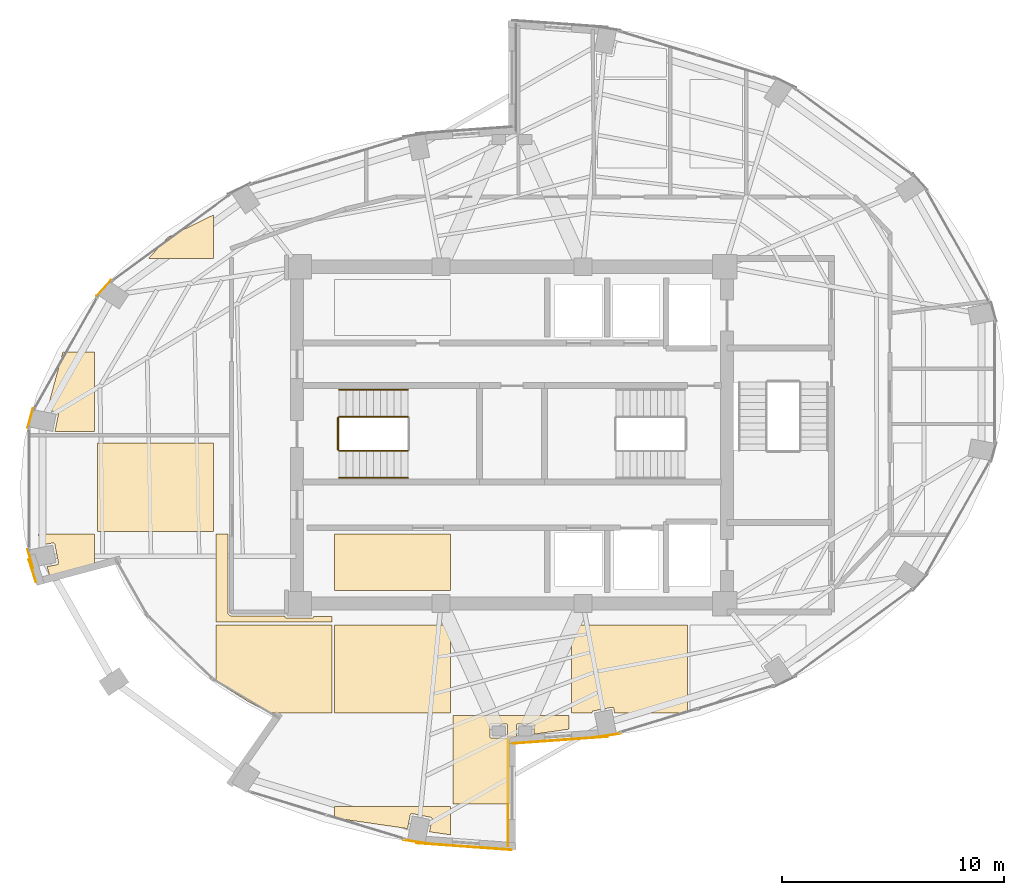
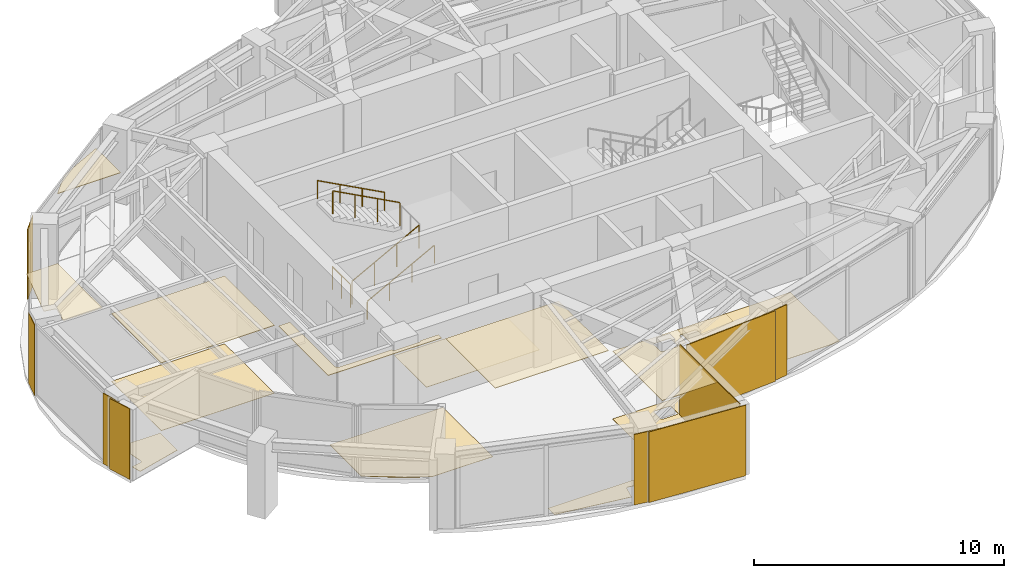
# One storey, part 20 of 21: 22 coverings, 5 railings.
"""IFC4 building model written with IfcOpenShell, lengths in metres."""

from ifc_helpers import new_model, si_unit, direction, frame, origin, origin_2d, place, context, subcontext, project, spatial, polyline, rectangle, circle, outline, extrude, material, layer, layer_set, type_object, element, save


model = new_model("IFC4")

# Units and contexts
model_context = context("Model", 3, precision=1e-05, world=origin(), true_north=direction((0.0, 1.0)))
body_context = subcontext(model_context, "Body", "Model", "MODEL_VIEW")
ifc_project = project(units=[si_unit("LENGTHUNIT", "METRE"), si_unit("AREAUNIT", "SQUARE_METRE"), si_unit("VOLUMEUNIT", "CUBIC_METRE"), si_unit("PLANEANGLEUNIT", "RADIAN"), si_unit("MASSUNIT", "GRAM", prefix="KILO")], contexts=[model_context])

# Site, building, storey
site_placement = place(None, origin())
site = spatial("IfcSite", under=ifc_project, at=site_placement, CompositionType="ELEMENT")
building_placement = place(site_placement, origin())
building = spatial("IfcBuilding", under=site, at=building_placement, Name="Lazwardi Medical Tower", CompositionType="ELEMENT")
storey_placement = place(building_placement, frame((0.0, 0.0, 220.367919921875)))
storey = spatial("IfcBuildingStorey", under=building, at=storey_placement, Name="L57", CompositionType="ELEMENT", Elevation=220.367919921875)

# Coverings
ifc_material_1 = material(Name="Anodised bronze aluminium cassette cladding", Category="aluminium")
ifc_layer_1 = layer(ifc_material_1, 0.030029296875)
ifc_layer_set_1 = layer_set([ifc_layer_1], Name="Anodised bronze aluminium cassette cladding")
covering_type_1 = type_object("IfcCoveringType", Name="COV-CLD-BRZ", PredefinedType="CLADDING", material=ifc_layer_set_1)
covering_1_placement = place(storey_placement, frame((40.3232421875, 14.450439453125, 0.0), z_axis=(0.0, 0.0, 1.0), x_axis=(0.989512431533, 0.144447733943, 0.0)))
element("IfcCovering", 1, at=covering_1_placement, inside=storey, type_object=covering_type_1, Name="L57 Mega-column bronze cassette cover M01", PredefinedType="CLADDING", context=body_context, shape_type="SweptSolid", body=[
    extrude(rectangle(XDim=1.188720703125, YDim=0.030029296875, at=origin_2d()), origin(), (0.0, 0.0, 1.0), 3.447998046875),
])
covering_2_placement = place(storey_placement, frame((17.57470703125, 34.634765625, 0.0), z_axis=(0.0, 0.0, 1.0), x_axis=(-0.673240970654, -0.739423150458, 0.0)))
element("IfcCovering", 2, at=covering_2_placement, inside=storey, type_object=covering_type_1, Name="L57 Mega-column bronze cassette cover M11", PredefinedType="CLADDING", context=body_context, shape_type="SweptSolid", body=[
    extrude(rectangle(XDim=0.98974609375, YDim=0.030029296875, at=origin_2d()), origin(), (0.0, 0.0, 1.0), 3.447998046875),
])
for number, where, z_axis, x_axis, name in (
    (3, (14.265869140625, 28.772705078125, 0.0), (0.0, 0.0, 1.0), (-0.261641748247, -0.96516506131, 0.0), "L57 Mega-column bronze cassette cover M12"),
    (4, (14.265869140625, 22.427490234375, 0.0), (0.0, 0.0, 1.0), (0.261641748247, -0.96516506131, 0.0), "L57 Mega-column bronze cassette cover M13"),
):
    element("IfcCovering", number, at=place(storey_placement, frame(where, z_axis=z_axis, x_axis=x_axis)), inside=storey, type_object=covering_type_1, Name=name, PredefinedType="CLADDING", context=body_context, shape_type="SweptSolid", body=[
        extrude(rectangle(XDim=0.894287109375, YDim=0.030029296875, at=origin_2d()), origin(), (0.0, 0.0, 1.0), 3.447998046875),
    ])
covering_3_placement = place(storey_placement, frame((31.6767578125, 9.650390625, 0.0), z_axis=(0.0, 0.0, 1.0), x_axis=(0.989512431533, -0.144447733943, 0.0)))
element("IfcCovering", 5, at=covering_3_placement, inside=storey, type_object=covering_type_1, Name="L57 Mega-column bronze cassette cover M16", PredefinedType="CLADDING", context=body_context, shape_type="SweptSolid", body=[
    extrude(rectangle(XDim=1.188720703125, YDim=0.030029296875, at=origin_2d()), origin(), (0.0, 0.0, 1.0), 3.447998046875),
])
ifc_material_2 = material(Name="Turquoise glazed ceramic tilework cladding", Category="masonry")
ifc_layer_2 = layer(ifc_material_2, 0.034912109375)
ifc_layer_set_2 = layer_set([ifc_layer_2], Name="Turquoise glazed ceramic tilework cladding")
covering_type_2 = type_object("IfcCoveringType", Name="COV-CLD-TRQ", PredefinedType="CLADDING", material=ifc_layer_set_2)
covering_4_placement = place(storey_placement, frame((38.16259765625, 14.239990234375, 0.0), z_axis=(0.0, 0.0, 1.0), x_axis=(0.997409491337, 0.071932653157, 0.0)))
element("IfcCovering", 6, at=covering_4_placement, inside=storey, type_object=covering_type_2, Name="L57 Turquoise glazed ceramic tilework cladding", PredefinedType="CLADDING", context=body_context, shape_type="SweptSolid", body=[
    extrude(rectangle(XDim=4.31103515625, YDim=0.034912109375, at=origin_2d()), origin(), (0.0, 0.0, 1.0), 3.447998046875),
])
covering_5_placement = place(storey_placement, frame((33.83740234375, 9.43994140625, 0.0), z_axis=(0.0, 0.0, 1.0), x_axis=(0.997408989128, -0.071939616387, 0.0)))
element("IfcCovering", 7, at=covering_5_placement, inside=storey, type_object=covering_type_2, Name="L57 Turquoise glazed ceramic tilework cladding", PredefinedType="CLADDING", context=body_context, shape_type="SweptSolid", body=[
    extrude(rectangle(XDim=4.310546875, YDim=0.034912109375, at=origin_2d()), origin(), (0.0, 0.0, 1.0), 3.447998046875),
])
covering_6_placement = place(storey_placement, frame((35.824462890625, 11.860107421875, 0.0), z_axis=(0.0, 0.0, 1.0), x_axis=(0.0, 1.0, 0.0)))
element("IfcCovering", 8, at=covering_6_placement, inside=storey, type_object=covering_type_2, Name="L57 Turquoise glazed ceramic tilework iwan panel", PredefinedType="CLADDING", context=body_context, shape_type="SweptSolid", body=[
    extrude(rectangle(XDim=4.800048828125, YDim=0.034912109375, at=origin_2d()), origin(), (0.0, 0.0, 1.0), 3.447998046875),
])
covering_7_placement = place(storey_placement, frame((14.360595703125, 21.879150390625, 0.0), z_axis=(0.0, 0.0, 1.0), x_axis=(0.303318010952, -0.952889387197, 0.0)))
element("IfcCovering", 9, at=covering_7_placement, inside=storey, type_object=covering_type_2, Name="L57 Turquoise glazed ceramic tilework cladding", PredefinedType="CLADDING", context=body_context, shape_type="SweptSolid", body=[
    extrude(rectangle(XDim=1.080810546875, YDim=0.034912109375, at=origin_2d()), origin(), (0.0, 0.0, 1.0), 3.447998046875),
])
ifc_material_3 = material(Name="Acoustic mineral fibre tile")
ifc_layer_3 = layer(ifc_material_3, 0.02490234375)
ifc_layer_set_3 = layer_set([ifc_layer_3], Name="Acoustic mineral fibre tile")
covering_type_3 = type_object("IfcCoveringType", Name="COV-CLG-01", PredefinedType="CEILING", material=ifc_layer_set_3)
covering_8_placement = place(storey_placement, frame((0.0, 0.0, 3.302978515625)))
element("IfcCovering", 10, at=covering_8_placement, inside=storey, type_object=covering_type_3, Name="L57 Clinical Acoustic Ceiling 1", PredefinedType="CEILING", context=body_context, shape_type="SweptSolid", body=[
    extrude(outline(polyline([(15.740478515625, 31.742431640625), (15.728271484375, 31.729248046875), (15.0224609375, 29.13134765625), (15.4716796875, 29.0419921875), (15.479248046875, 29.040283203125), (15.486572265625, 29.03759765625), (15.49365234375, 29.0341796875), (15.50048828125, 29.030029296875), (15.5068359375, 29.025390625), (15.5126953125, 29.020263671875), (15.517822265625, 29.014404296875), (15.5224609375, 29.008056640625), (15.526611328125, 29.001220703125), (15.52978515625, 28.994140625), (15.53271484375, 28.98681640625), (15.534423828125, 28.979248046875), (15.53564453125, 28.971435546875), (15.535888671875, 28.963623046875), (15.53564453125, 28.955810546875), (15.534423828125, 28.947998046875), (15.378662109375, 28.1650390625), (17.1728515625, 28.1650390625), (17.1728515625, 31.742431640625), (15.740478515625, 31.742431640625)])), origin(), (0.0, 0.0, 1.0), 0.025146484375),
])
covering_9_placement = place(storey_placement, frame((0.0, 0.0, 3.302978515625)))
element("IfcCovering", 11, at=covering_9_placement, inside=storey, type_object=covering_type_3, Name="L57 Clinical Acoustic Ceiling 2", PredefinedType="CEILING", context=body_context, shape_type="SweptSolid", body=[
    extrude(outline(polyline([(22.52294921875, 23.66259765625), (22.52294921875, 27.642578125), (17.29296875, 27.642578125), (17.29296875, 23.66259765625), (22.52294921875, 23.66259765625)])), origin(), (0.0, 0.0, 1.0), 0.025146484375),
])
covering_10_placement = place(storey_placement, frame((0.0, 0.0, 3.302978515625)))
element("IfcCovering", 12, at=covering_10_placement, inside=storey, type_object=covering_type_3, Name="L57 Clinical Acoustic Ceiling 3", PredefinedType="CEILING", context=body_context, shape_type="SweptSolid", body=[
    extrude(outline(polyline([(22.52294921875, 37.93359375), (20.478271484375, 36.933349609375), (19.592041015625, 35.96240234375), (22.52294921875, 35.96240234375), (22.52294921875, 37.93359375)])), origin(), (0.0, 0.0, 1.0), 0.025146484375),
])
covering_11_placement = place(storey_placement, frame((0.0, 0.0, 3.302978515625)))
element("IfcCovering", 13, at=covering_11_placement, inside=storey, type_object=covering_type_3, Name="L57 Clinical Acoustic Ceiling 4", PredefinedType="CEILING", context=body_context, shape_type="SweptSolid", body=[
    extrude(outline(polyline([(27.872802734375, 19.820068359375), (27.04931640625, 19.820068359375), (27.048583984375, 19.814453125), (27.046630859375, 19.806884765625), (27.0439453125, 19.79931640625), (27.04052734375, 19.792236328125), (27.03662109375, 19.78564453125), (27.03173828125, 19.779296875), (27.026611328125, 19.7734375), (27.020751953125, 19.768310546875), (27.014404296875, 19.763427734375), (27.0078125, 19.759521484375), (27.00048828125, 19.756103515625), (26.9931640625, 19.75341796875), (26.985595703125, 19.75146484375), (26.977783203125, 19.75048828125), (26.969970703125, 19.75), (25.830078125, 19.75), (25.822265625, 19.75048828125), (25.814453125, 19.75146484375), (25.806884765625, 19.75341796875), (25.79931640625, 19.756103515625), (25.792236328125, 19.759521484375), (25.78564453125, 19.763427734375), (25.779296875, 19.768310546875), (25.7734375, 19.7734375), (25.768310546875, 19.779296875), (25.763427734375, 19.78564453125), (25.759521484375, 19.792236328125), (25.756103515625, 19.79931640625), (25.75341796875, 19.806884765625), (25.75146484375, 19.814453125), (25.75048828125, 19.822265625), (25.75, 19.830078125), (25.75, 19.844970703125), (23.35009765625, 19.844970703125), (23.345703125, 19.84521484375), (23.33642578125, 19.845703125), (23.32958984375, 19.84619140625), (23.3203125, 19.84765625), (23.31201171875, 19.84912109375), (23.302734375, 19.8515625), (23.2958984375, 19.853515625), (23.287109375, 19.856689453125), (23.279296875, 19.860107421875), (23.270751953125, 19.864013671875), (23.263916015625, 19.86767578125), (23.256103515625, 19.872314453125), (23.249267578125, 19.876953125), (23.24169921875, 19.882568359375), (23.236083984375, 19.88720703125), (23.229248046875, 19.893310546875), (23.223388671875, 19.8994140625), (23.217041015625, 19.90625), (23.21240234375, 19.911865234375), (23.206787109375, 19.919189453125), (23.202392578125, 19.926025390625), (23.197509765625, 19.93408203125), (23.194091796875, 19.94091796875), (23.18994140625, 19.94921875), (23.186767578125, 19.95703125), (23.18359375, 19.9658203125), (23.181396484375, 19.972900390625), (23.17919921875, 19.98193359375), (23.177490234375, 19.990234375), (23.17626953125, 19.99951171875), (23.175537109375, 20.00634765625), (23.175048828125, 20.015625), (23.175048828125, 20.02001953125), (23.175048828125, 23.54248046875), (22.642822265625, 23.54248046875), (22.642822265625, 19.5625), (27.872802734375, 19.5625), (27.872802734375, 19.820068359375)])), origin(), (0.0, 0.0, 1.0), 0.025146484375),
])
covering_12_placement = place(storey_placement, frame((0.0, 0.0, 3.302978515625)))
element("IfcCovering", 14, at=covering_12_placement, inside=storey, type_object=covering_type_3, Name="L57 Clinical Acoustic Ceiling 5", PredefinedType="CEILING", context=body_context, shape_type="SweptSolid", body=[
    extrude(outline(polyline([(33.222900390625, 15.46240234375), (33.222900390625, 19.4423828125), (27.992919921875, 19.4423828125), (27.992919921875, 15.46240234375), (33.222900390625, 15.46240234375)])), origin(), (0.0, 0.0, 1.0), 0.025146484375),
])
covering_13_placement = place(storey_placement, frame((0.0, 0.0, 3.302978515625)))
element("IfcCovering", 15, at=covering_13_placement, inside=storey, type_object=covering_type_3, Name="L57 Clinical Acoustic Ceiling 6", PredefinedType="CEILING", context=body_context, shape_type="SweptSolid", body=[
    extrude(outline(polyline([(35.919921875, 11.362548828125), (35.919921875, 14.280029296875), (35.92041015625, 14.28759765625), (35.92138671875, 14.295166015625), (35.923095703125, 14.302490234375), (35.92578125, 14.309814453125), (35.928955078125, 14.316650390625), (35.9326171875, 14.3232421875), (35.93701171875, 14.329345703125), (35.94189453125, 14.335205078125), (35.947509765625, 14.34033203125), (35.95361328125, 14.34521484375), (35.9599609375, 14.34912109375), (35.966796875, 14.352783203125), (35.9736328125, 14.355712890625), (35.98095703125, 14.357666015625), (35.988525390625, 14.359130859375), (36.201416015625, 14.39013671875), (36.200439453125, 14.397216796875), (36.199951171875, 14.405029296875), (36.199951171875, 14.89501953125), (36.200439453125, 14.90283203125), (36.201416015625, 14.91064453125), (36.203369140625, 14.918212890625), (36.2060546875, 14.925537109375), (36.20947265625, 14.9326171875), (36.21337890625, 14.939453125), (36.21826171875, 14.94580078125), (36.223388671875, 14.95166015625), (36.229248046875, 14.956787109375), (36.235595703125, 14.96142578125), (36.2421875, 14.965576171875), (36.24951171875, 14.968994140625), (36.2568359375, 14.9716796875), (36.264404296875, 14.973388671875), (36.272216796875, 14.974609375), (36.280029296875, 14.97509765625), (36.919921875, 14.97509765625), (36.927734375, 14.974609375), (36.935546875, 14.973388671875), (36.943115234375, 14.9716796875), (36.95068359375, 14.968994140625), (36.957763671875, 14.965576171875), (36.96435546875, 14.96142578125), (36.970703125, 14.956787109375), (36.9765625, 14.95166015625), (36.981689453125, 14.94580078125), (36.986572265625, 14.939453125), (36.990478515625, 14.9326171875), (36.993896484375, 14.925537109375), (36.99658203125, 14.918212890625), (36.99853515625, 14.91064453125), (36.99951171875, 14.90283203125), (37.0, 14.89501953125), (37.0, 14.506591796875), (38.572998046875, 14.735595703125), (38.572998046875, 15.342529296875), (33.343017578125, 15.342529296875), (33.343017578125, 11.362548828125), (35.919921875, 11.362548828125)]), holes=[polyline([(35.7431640625, 14.328369140625), (35.735595703125, 14.326416015625), (35.727783203125, 14.325439453125), (35.719970703125, 14.324951171875), (35.080078125, 14.324951171875), (35.072265625, 14.325439453125), (35.064453125, 14.326416015625), (35.056884765625, 14.328369140625), (35.04931640625, 14.3310546875), (35.042236328125, 14.33447265625), (35.03564453125, 14.33837890625), (35.029296875, 14.34326171875), (35.0234375, 14.348388671875), (35.018310546875, 14.354248046875), (35.013427734375, 14.360595703125), (35.009521484375, 14.3671875), (35.006103515625, 14.37451171875), (35.00341796875, 14.3818359375), (35.00146484375, 14.389404296875), (35.00048828125, 14.397216796875), (35.0, 14.405029296875), (35.0, 14.89501953125), (35.00048828125, 14.90283203125), (35.00146484375, 14.91064453125), (35.00341796875, 14.918212890625), (35.006103515625, 14.925537109375), (35.009521484375, 14.9326171875), (35.013427734375, 14.939453125), (35.018310546875, 14.94580078125), (35.0234375, 14.95166015625), (35.029296875, 14.956787109375), (35.03564453125, 14.96142578125), (35.042236328125, 14.965576171875), (35.04931640625, 14.968994140625), (35.056884765625, 14.9716796875), (35.064453125, 14.973388671875), (35.072265625, 14.974609375), (35.080078125, 14.97509765625), (35.719970703125, 14.97509765625), (35.727783203125, 14.974609375), (35.735595703125, 14.973388671875), (35.7431640625, 14.9716796875), (35.75048828125, 14.968994140625), (35.7578125, 14.965576171875), (35.764404296875, 14.96142578125), (35.770751953125, 14.956787109375), (35.776611328125, 14.95166015625), (35.78173828125, 14.94580078125), (35.78662109375, 14.939453125), (35.79052734375, 14.9326171875), (35.7939453125, 14.925537109375), (35.796630859375, 14.918212890625), (35.798583984375, 14.91064453125), (35.799560546875, 14.90283203125), (35.800048828125, 14.89501953125), (35.800048828125, 14.405029296875), (35.799560546875, 14.397216796875), (35.798583984375, 14.389404296875), (35.796630859375, 14.3818359375), (35.7939453125, 14.37451171875), (35.79052734375, 14.3671875), (35.78662109375, 14.360595703125), (35.78173828125, 14.354248046875), (35.776611328125, 14.348388671875), (35.770751953125, 14.34326171875), (35.764404296875, 14.33837890625), (35.7578125, 14.33447265625), (35.75048828125, 14.3310546875), (35.7431640625, 14.328369140625)])]), origin(), (0.0, 0.0, 1.0), 0.025146484375),
])
ifc_material_4 = material(Name="Anti-static hospital vinyl sheet flooring")
ifc_layer_4 = layer(ifc_material_4, 0.014892578125)
ifc_layer_set_4 = layer_set([ifc_layer_4], Name="Anti-static hospital vinyl sheet flooring")
covering_type_4 = type_object("IfcCoveringType", Name="COV-FLR-01", PredefinedType="FLOORING", material=ifc_layer_set_4)
covering_14_placement = place(storey_placement, origin())
element("IfcCovering", 16, at=covering_14_placement, inside=storey, type_object=covering_type_4, Name="L57 Clinical Vinyl Flooring 1", PredefinedType="FLOORING", context=body_context, shape_type="SweptSolid", body=[
    extrude(outline(polyline([(14.6220703125, 23.54248046875), (14.759521484375, 23.035888671875), (15.276611328125, 23.138671875), (15.2841796875, 23.139892578125), (15.2919921875, 23.14013671875), (15.2998046875, 23.139892578125), (15.3076171875, 23.138671875), (15.315185546875, 23.13671875), (15.32275390625, 23.134033203125), (15.329833984375, 23.130859375), (15.33642578125, 23.126708984375), (15.343017578125, 23.1220703125), (15.3486328125, 23.11669921875), (15.35400390625, 23.111083984375), (15.358642578125, 23.1044921875), (15.36279296875, 23.097900390625), (15.365966796875, 23.0908203125), (15.36865234375, 23.08349609375), (15.37060546875, 23.07568359375), (15.534423828125, 22.251953125), (15.53564453125, 22.244140625), (15.535888671875, 22.236328125), (15.53564453125, 22.228515625), (15.534423828125, 22.220703125), (15.53271484375, 22.213134765625), (15.52978515625, 22.205810546875), (15.526611328125, 22.19873046875), (15.5224609375, 22.19189453125), (15.517822265625, 22.185791015625), (15.5126953125, 22.1796875), (15.5068359375, 22.174560546875), (15.50048828125, 22.169921875), (15.49365234375, 22.165771484375), (15.486572265625, 22.16259765625), (15.479248046875, 22.159912109375), (15.4716796875, 22.157958984375), (15.0224609375, 22.068603515625), (15.143798828125, 21.62158203125), (17.1728515625, 22.165283203125), (17.1728515625, 23.54248046875), (14.6220703125, 23.54248046875)])), origin(), (0.0, 0.0, 1.0), 0.01513671875),
])
covering_15_placement = place(storey_placement, origin())
element("IfcCovering", 17, at=covering_15_placement, inside=storey, type_object=covering_type_4, Name="L57 Clinical Vinyl Flooring 2", PredefinedType="FLOORING", context=body_context, shape_type="SweptSolid", body=[
    extrude(outline(polyline([(22.52294921875, 23.66259765625), (22.52294921875, 27.642578125), (17.29296875, 27.642578125), (17.29296875, 23.66259765625), (22.52294921875, 23.66259765625)])), origin(), (0.0, 0.0, 1.0), 0.01513671875),
])
covering_16_placement = place(storey_placement, origin())
element("IfcCovering", 18, at=covering_16_placement, inside=storey, type_object=covering_type_4, Name="L57 Clinical Vinyl Flooring 4", PredefinedType="FLOORING", context=body_context, shape_type="SweptSolid", body=[
    extrude(outline(polyline([(22.642822265625, 16.92138671875), (22.92138671875, 16.714111328125), (24.109619140625, 15.971435546875), (25.081787109375, 15.46240234375), (27.872802734375, 15.46240234375), (27.872802734375, 19.4423828125), (22.642822265625, 19.4423828125), (22.642822265625, 16.92138671875)])), origin(), (0.0, 0.0, 1.0), 0.01513671875),
])
covering_17_placement = place(storey_placement, origin())
element("IfcCovering", 19, at=covering_17_placement, inside=storey, type_object=covering_type_4, Name="L57 Clinical Vinyl Flooring 5", PredefinedType="FLOORING", context=body_context, shape_type="SweptSolid", body=[
    extrude(outline(polyline([(27.992919921875, 10.726806640625), (31.285400390625, 10.247314453125), (31.40673828125, 10.8583984375), (31.40869140625, 10.865966796875), (31.411376953125, 10.873291015625), (31.414794921875, 10.88037109375), (31.418701171875, 10.88720703125), (31.423583984375, 10.8935546875), (31.4287109375, 10.8994140625), (31.4345703125, 10.904541015625), (31.44091796875, 10.9091796875), (31.447509765625, 10.913330078125), (31.45458984375, 10.91650390625), (31.462158203125, 10.919189453125), (31.4697265625, 10.921142578125), (31.4775390625, 10.92236328125), (31.4853515625, 10.922607421875), (31.4931640625, 10.92236328125), (31.5009765625, 10.921142578125), (32.32470703125, 10.75732421875), (32.332275390625, 10.75537109375), (32.339599609375, 10.752685546875), (32.3466796875, 10.74951171875), (32.353515625, 10.745361328125), (32.35986328125, 10.740478515625), (32.36572265625, 10.7353515625), (32.370849609375, 10.7294921875), (32.37548828125, 10.72314453125), (32.379638671875, 10.716552734375), (32.383056640625, 10.70947265625), (32.3857421875, 10.701904296875), (32.3876953125, 10.6943359375), (32.388671875, 10.6865234375), (32.38916015625, 10.6787109375), (32.388671875, 10.6708984375), (32.3876953125, 10.6630859375), (32.276123046875, 10.10302734375), (33.222900390625, 9.96533203125), (33.222900390625, 11.242431640625), (27.992919921875, 11.242431640625), (27.992919921875, 10.726806640625)])), origin(), (0.0, 0.0, 1.0), 0.01513671875),
])
covering_18_placement = place(storey_placement, origin())
element("IfcCovering", 20, at=covering_18_placement, inside=storey, type_object=covering_type_4, Name="L57 Clinical Vinyl Flooring 6", PredefinedType="FLOORING", context=body_context, shape_type="SweptSolid", body=[
    extrude(outline(polyline([(27.992919921875, 20.97998046875), (33.222900390625, 20.97998046875), (33.222900390625, 23.54248046875), (27.992919921875, 23.54248046875), (27.992919921875, 20.97998046875)])), origin(), (0.0, 0.0, 1.0), 0.01513671875),
])
covering_19_placement = place(storey_placement, origin())
element("IfcCovering", 21, at=covering_19_placement, inside=storey, type_object=covering_type_4, Name="L57 Clinical Vinyl Flooring 8", PredefinedType="FLOORING", context=body_context, shape_type="SweptSolid", body=[
    extrude(outline(polyline([(35.919921875, 11.362548828125), (35.919921875, 14.280029296875), (35.92041015625, 14.28759765625), (35.92138671875, 14.295166015625), (35.923095703125, 14.302490234375), (35.92578125, 14.309814453125), (35.928955078125, 14.316650390625), (35.9326171875, 14.3232421875), (35.93701171875, 14.329345703125), (35.94189453125, 14.335205078125), (35.947509765625, 14.34033203125), (35.95361328125, 14.34521484375), (35.9599609375, 14.34912109375), (35.966796875, 14.352783203125), (35.9736328125, 14.355712890625), (35.98095703125, 14.357666015625), (35.988525390625, 14.359130859375), (36.201416015625, 14.39013671875), (36.200439453125, 14.397216796875), (36.199951171875, 14.405029296875), (36.199951171875, 14.89501953125), (36.200439453125, 14.90283203125), (36.201416015625, 14.91064453125), (36.203369140625, 14.918212890625), (36.2060546875, 14.925537109375), (36.20947265625, 14.9326171875), (36.21337890625, 14.939453125), (36.21826171875, 14.94580078125), (36.223388671875, 14.95166015625), (36.229248046875, 14.956787109375), (36.235595703125, 14.96142578125), (36.2421875, 14.965576171875), (36.24951171875, 14.968994140625), (36.2568359375, 14.9716796875), (36.264404296875, 14.973388671875), (36.272216796875, 14.974609375), (36.280029296875, 14.97509765625), (36.919921875, 14.97509765625), (36.927734375, 14.974609375), (36.935546875, 14.973388671875), (36.943115234375, 14.9716796875), (36.95068359375, 14.968994140625), (36.957763671875, 14.965576171875), (36.96435546875, 14.96142578125), (36.970703125, 14.956787109375), (36.9765625, 14.95166015625), (36.981689453125, 14.94580078125), (36.986572265625, 14.939453125), (36.990478515625, 14.9326171875), (36.993896484375, 14.925537109375), (36.99658203125, 14.918212890625), (36.99853515625, 14.91064453125), (36.99951171875, 14.90283203125), (37.0, 14.89501953125), (37.0, 14.506591796875), (38.572998046875, 14.735595703125), (38.572998046875, 15.342529296875), (33.343017578125, 15.342529296875), (33.343017578125, 11.362548828125), (35.919921875, 11.362548828125)]), holes=[polyline([(35.7431640625, 14.328369140625), (35.735595703125, 14.326416015625), (35.727783203125, 14.325439453125), (35.719970703125, 14.324951171875), (35.080078125, 14.324951171875), (35.072265625, 14.325439453125), (35.064453125, 14.326416015625), (35.056884765625, 14.328369140625), (35.04931640625, 14.3310546875), (35.042236328125, 14.33447265625), (35.03564453125, 14.33837890625), (35.029296875, 14.34326171875), (35.0234375, 14.348388671875), (35.018310546875, 14.354248046875), (35.013427734375, 14.360595703125), (35.009521484375, 14.3671875), (35.006103515625, 14.37451171875), (35.00341796875, 14.3818359375), (35.00146484375, 14.389404296875), (35.00048828125, 14.397216796875), (35.0, 14.405029296875), (35.0, 14.89501953125), (35.00048828125, 14.90283203125), (35.00146484375, 14.91064453125), (35.00341796875, 14.918212890625), (35.006103515625, 14.925537109375), (35.009521484375, 14.9326171875), (35.013427734375, 14.939453125), (35.018310546875, 14.94580078125), (35.0234375, 14.95166015625), (35.029296875, 14.956787109375), (35.03564453125, 14.96142578125), (35.042236328125, 14.965576171875), (35.04931640625, 14.968994140625), (35.056884765625, 14.9716796875), (35.064453125, 14.973388671875), (35.072265625, 14.974609375), (35.080078125, 14.97509765625), (35.719970703125, 14.97509765625), (35.727783203125, 14.974609375), (35.735595703125, 14.973388671875), (35.7431640625, 14.9716796875), (35.75048828125, 14.968994140625), (35.7578125, 14.965576171875), (35.764404296875, 14.96142578125), (35.770751953125, 14.956787109375), (35.776611328125, 14.95166015625), (35.78173828125, 14.94580078125), (35.78662109375, 14.939453125), (35.79052734375, 14.9326171875), (35.7939453125, 14.925537109375), (35.796630859375, 14.918212890625), (35.798583984375, 14.91064453125), (35.799560546875, 14.90283203125), (35.800048828125, 14.89501953125), (35.800048828125, 14.405029296875), (35.799560546875, 14.397216796875), (35.798583984375, 14.389404296875), (35.796630859375, 14.3818359375), (35.7939453125, 14.37451171875), (35.79052734375, 14.3671875), (35.78662109375, 14.360595703125), (35.78173828125, 14.354248046875), (35.776611328125, 14.348388671875), (35.770751953125, 14.34326171875), (35.764404296875, 14.33837890625), (35.7578125, 14.33447265625), (35.75048828125, 14.3310546875), (35.7431640625, 14.328369140625)])]), origin(), (0.0, 0.0, 1.0), 0.01513671875),
])
covering_20_placement = place(storey_placement, origin())
element("IfcCovering", 22, at=covering_20_placement, inside=storey, type_object=covering_type_4, Name="L57 Clinical Vinyl Flooring 9", PredefinedType="FLOORING", context=body_context, shape_type="SweptSolid", body=[
    extrude(outline(polyline([(39.612548828125, 15.46240234375), (39.6123046875, 15.463134765625), (39.611328125, 15.470947265625), (39.61083984375, 15.478759765625), (39.611328125, 15.486572265625), (39.6123046875, 15.494384765625), (39.6142578125, 15.501953125), (39.616943359375, 15.509521484375), (39.620361328125, 15.5166015625), (39.62451171875, 15.523193359375), (39.629150390625, 15.529541015625), (39.63427734375, 15.535400390625), (39.64013671875, 15.54052734375), (39.646484375, 15.54541015625), (39.6533203125, 15.54931640625), (39.660400390625, 15.552734375), (39.667724609375, 15.555419921875), (39.67529296875, 15.557373046875), (40.4990234375, 15.72119140625), (40.5068359375, 15.722412109375), (40.5146484375, 15.72265625), (40.5224609375, 15.722412109375), (40.5302734375, 15.72119140625), (40.537841796875, 15.71923828125), (40.54541015625, 15.716552734375), (40.552490234375, 15.71337890625), (40.55908203125, 15.709228515625), (40.5654296875, 15.70458984375), (40.5712890625, 15.69921875), (40.576416015625, 15.693603515625), (40.581298828125, 15.687255859375), (40.585205078125, 15.680419921875), (40.588623046875, 15.67333984375), (40.59130859375, 15.666015625), (40.59326171875, 15.658203125), (40.632080078125, 15.46240234375), (43.565185546875, 15.46240234375), (43.9228515625, 15.5146484375), (43.9228515625, 19.4423828125), (38.69287109375, 19.4423828125), (38.69287109375, 15.46240234375), (39.612548828125, 15.46240234375)])), origin(), (0.0, 0.0, 1.0), 0.01513671875),
])

# Railings
ifc_material_5 = material(Name="Stainless steel Grade 316", Category="steel")
railing_type_1 = type_object("IfcRailingType", Name="RLG-GRD-1150", PredefinedType="GUARDRAIL", material=ifc_material_5)
railing_1_placement = place(storey_placement, frame((28.199951171875, 27.2900390625, 0.166015625)))
element("IfcRailing", 23, at=railing_1_placement, inside=storey, type_object=railing_type_1, Name="L57 ST1 stair guard 1", PredefinedType="GUARDRAIL", context=body_context, shape_type="SweptSolid", body=[
    extrude(circle(Radius=0.02392578125, at=origin_2d()), frame((0.0, 0.0, 1.1259765625), z_axis=(0.881812178953, 0.0, 0.471600764472), x_axis=(0.0, 1.0, 0.0)), (0.0, 0.0, 1.0), 3.515625),
    extrude(circle(Radius=0.02099609375, at=origin_2d()), origin(), (0.0, 0.0, 1.0), 1.099853515625),
    extrude(circle(Radius=0.02099609375, at=origin_2d()), frame((1.033447265625, 0.0, 0.552734375)), (0.0, 0.0, 1.0), 1.099853515625),
    extrude(circle(Radius=0.02099609375, at=origin_2d()), frame((2.066650390625, 0.0, 1.105224609375)), (0.0, 0.0, 1.0), 1.099853515625),
    extrude(circle(Radius=0.02099609375, at=origin_2d()), frame((3.10009765625, 0.0, 1.657958984375)), (0.0, 0.0, 1.0), 1.099853515625),
])
railing_2_placement = place(storey_placement, frame((31.300048828125, 28.830078125, 1.989990234375)))
element("IfcRailing", 24, at=railing_2_placement, inside=storey, type_object=railing_type_1, Name="L57 ST1 stair guard 3", PredefinedType="GUARDRAIL", context=body_context, shape_type="SweptSolid", body=[
    extrude(circle(Radius=0.02392578125, at=origin_2d()), frame((0.0, 0.0, 1.1259765625), z_axis=(-0.881783298633, 0.0, 0.471654761719), x_axis=(0.0, -1.0, 0.0)), (0.0, 0.0, 1.0), 3.515625),
    extrude(circle(Radius=0.02099609375, at=origin_2d()), origin(), (0.0, 0.0, 1.0), 1.099853515625),
    extrude(circle(Radius=0.02099609375, at=origin_2d()), frame((-1.033447265625, 0.0, 0.552734375)), (0.0, 0.0, 1.0), 1.099853515625),
    extrude(circle(Radius=0.02099609375, at=origin_2d()), frame((-2.066650390625, 0.0, 1.10546875)), (0.0, 0.0, 1.0), 1.099853515625),
    extrude(circle(Radius=0.02099609375, at=origin_2d()), frame((-3.10009765625, 0.0, 1.658203125)), (0.0, 0.0, 1.0), 1.099853515625),
])
railing_3_placement = place(storey_placement, frame((28.14990234375, 27.340087890625, 0.0)))
element("IfcRailing", 25, at=railing_3_placement, inside=storey, type_object=railing_type_1, Name="L57 ST1 stair guard 4", PredefinedType="GUARDRAIL", context=body_context, shape_type="SweptSolid", body=[
    extrude(circle(Radius=0.02392578125, at=origin_2d()), frame((0.0, 0.0, 1.1259765625), z_axis=(0.0, 1.0, 0.0), x_axis=(-1.0, 0.0, 0.0)), (0.0, 0.0, 1.0), 1.43994140625),
    extrude(circle(Radius=0.02099609375, at=origin_2d()), origin(), (0.0, 0.0, 1.0), 1.099853515625),
    extrude(circle(Radius=0.02099609375, at=origin_2d()), frame((0.0, 0.719970703125, 0.0)), (0.0, 0.0, 1.0), 1.099853515625),
    extrude(circle(Radius=0.02099609375, at=origin_2d()), frame((0.0, 1.43994140625, 0.0)), (0.0, 0.0, 1.0), 1.099853515625),
])
railing_type_2 = type_object("IfcRailingType", Name="RLG-HND-920", PredefinedType="HANDRAIL", material=ifc_material_5)
railing_4_placement = place(storey_placement, frame((28.199951171875, 26.070068359375, 0.166015625)))
element("IfcRailing", 26, at=railing_4_placement, inside=storey, type_object=railing_type_2, Name="L57 ST1 stair handrail 1", PredefinedType="HANDRAIL", context=body_context, shape_type="SweptSolid", body=[
    extrude(circle(Radius=0.02392578125, at=origin_2d()), frame((0.0, 0.0, 0.8857421875), z_axis=(0.881812178953, 0.0, 0.471600764472), x_axis=(0.0, 1.0, 0.0)), (0.0, 0.0, 1.0), 3.515625),
    extrude(circle(Radius=0.02099609375, at=origin_2d()), origin(), (0.0, 0.0, 1.0), 0.85986328125),
    extrude(circle(Radius=0.02099609375, at=origin_2d()), frame((1.033447265625, 0.0, 0.552734375)), (0.0, 0.0, 1.0), 0.85986328125),
    extrude(circle(Radius=0.02099609375, at=origin_2d()), frame((2.066650390625, 0.0, 1.105224609375)), (0.0, 0.0, 1.0), 0.85986328125),
    extrude(circle(Radius=0.02099609375, at=origin_2d()), frame((3.10009765625, 0.0, 1.657958984375)), (0.0, 0.0, 1.0), 0.85986328125),
])
railing_5_placement = place(storey_placement, frame((31.300048828125, 30.050048828125, 1.989990234375)))
element("IfcRailing", 27, at=railing_5_placement, inside=storey, type_object=railing_type_2, Name="L57 ST1 stair handrail 2", PredefinedType="HANDRAIL", context=body_context, shape_type="SweptSolid", body=[
    extrude(circle(Radius=0.02392578125, at=origin_2d()), frame((0.0, 0.0, 0.8857421875), z_axis=(-0.881783298633, 0.0, 0.471654761719), x_axis=(0.0, -1.0, 0.0)), (0.0, 0.0, 1.0), 3.515625),
    extrude(circle(Radius=0.02099609375, at=origin_2d()), origin(), (0.0, 0.0, 1.0), 0.85986328125),
    extrude(circle(Radius=0.02099609375, at=origin_2d()), frame((-1.033447265625, 0.0, 0.552734375)), (0.0, 0.0, 1.0), 0.85986328125),
    extrude(circle(Radius=0.02099609375, at=origin_2d()), frame((-2.066650390625, 0.0, 1.10546875)), (0.0, 0.0, 1.0), 0.85986328125),
    extrude(circle(Radius=0.02099609375, at=origin_2d()), frame((-3.10009765625, 0.0, 1.658203125)), (0.0, 0.0, 1.0), 0.85986328125),
])

save(model, "model.ifc")
